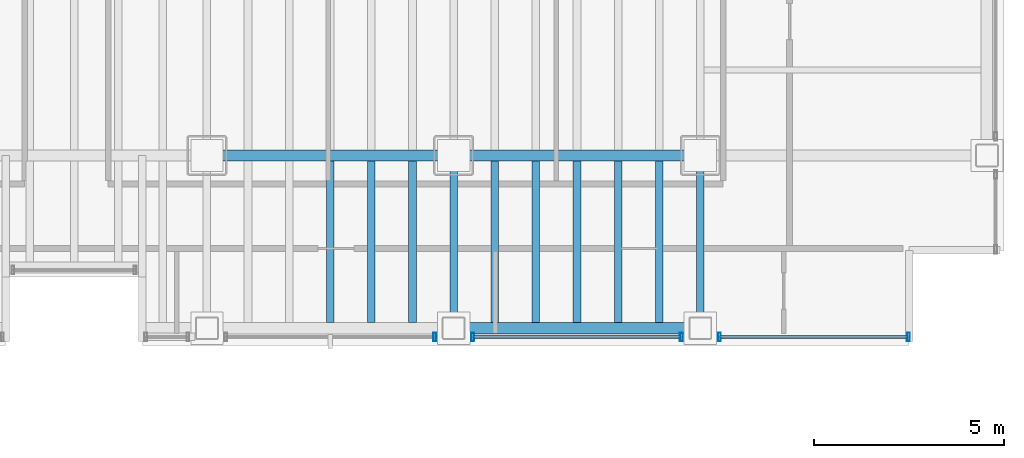
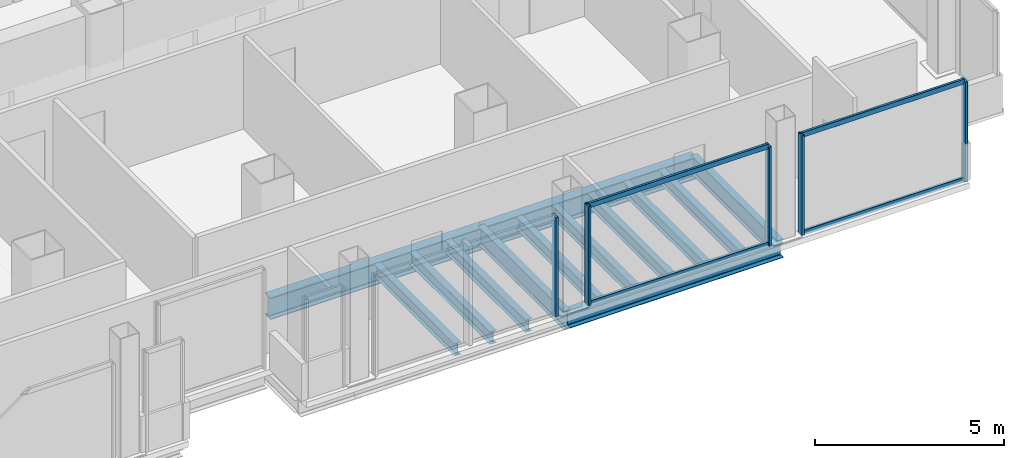
# One storey, part 9 of 21: 13 beams, 9 members, 3 elements without a shape of their own.
"""IFC4 building model written with IfcOpenShell, lengths in metres."""

from ifc_helpers import new_model, si_unit, direction, frame, origin, origin_2d, place, context, subcontext, project, spatial, hollow_rectangle, i_section, extrude, material, material_profile, profile_set, type_object, element, aggregate, save


model = new_model("IFC4")

# Units and contexts
model_context = context("Model", 3, precision=1e-05, world=origin(), true_north=direction((0.0, 1.0)))
body_context = subcontext(model_context, "Body", "Model", "MODEL_VIEW")
ifc_project = project(units=[si_unit("LENGTHUNIT", "METRE"), si_unit("AREAUNIT", "SQUARE_METRE"), si_unit("VOLUMEUNIT", "CUBIC_METRE"), si_unit("PLANEANGLEUNIT", "RADIAN"), si_unit("MASSUNIT", "GRAM", prefix="KILO")], contexts=[model_context])

# Site, building, storey
site_placement = place(None, origin())
site = spatial("IfcSite", under=ifc_project, at=site_placement, CompositionType="ELEMENT")
building_placement = place(site_placement, origin())
building = spatial("IfcBuilding", under=site, at=building_placement, Name="Noeulbin Bourse Tower", CompositionType="ELEMENT")
storey_placement = place(building_placement, frame((0.0, 0.0, 38.199951171875)))
storey = spatial("IfcBuildingStorey", under=building, at=storey_placement, Name="L09", CompositionType="ELEMENT", Elevation=38.199951171875)

# Beams
ifc_material_1 = material(Name="Steel S355", Category="steel")
ifc_material_profile_1 = material_profile(ifc_material_1, i_section(OverallWidth=0.199951171875, OverallDepth=0.60009765625, WebThickness=0.010986328125, FlangeThickness=0.01708984375, FilletRadius=0.02197265625, at=origin_2d()), Name="H-600x200x11x17", Category="LoadBearing")
ifc_profile_set_1 = profile_set([ifc_material_profile_1], Name="Steel S355")
beam_type_1 = type_object("IfcBeamType", Name="BM-GRD-600", PredefinedType="USERDEFINED", material=ifc_profile_set_1)
for number, where, z_axis, x_axis, name in (
    (1, (37.5, 15.449951171875, -0.47998046875), (0.0, 1.0, 0.0), (-1.0, 0.0, 0.0), "Tower Primary Girder NS L09-4.1"),
    (2, (44.0, 15.449951171875, -0.47998046875), (0.0, 1.0, 0.0), (-1.0, 0.0, 0.0), "Tower Primary Girder NS L09-5.1"),
):
    element("IfcBeam", number, at=place(storey_placement, frame(where, z_axis=z_axis, x_axis=x_axis)), inside=storey, type_object=beam_type_1, Name=name, ObjectType="GIRDER", PredefinedType="USERDEFINED", context=body_context, shape_type="SweptSolid", body=[
        extrude(i_section(OverallWidth=0.199951171875, OverallDepth=0.60009765625, WebThickness=0.010986328125, FlangeThickness=0.01708984375, FilletRadius=0.02197265625, at=origin_2d()), origin(), (0.0, 0.0, 1.0), 4.550048828125),
    ])
ifc_material_profile_2 = material_profile(ifc_material_1, i_section(OverallWidth=0.300048828125, OverallDepth=0.699951171875, WebThickness=0.012939453125, FlangeThickness=0.02392578125, FilletRadius=0.02392578125, at=origin_2d()), Name="H-700x300x13x24", Category="LoadBearing")
ifc_profile_set_2 = profile_set([ifc_material_profile_2], Name="Steel S355")
beam_type_2 = type_object("IfcBeamType", Name="BM-GRD-700", PredefinedType="USERDEFINED", material=ifc_profile_set_2)
for number, where, z_axis, x_axis, name in (
    (3, (31.0, 20.0, -0.530029296875), (1.0, 0.0, 0.0), (0.0, 1.0, 0.0), "Tower Primary Girder EW L09-1.4"),
    (4, (37.5, 20.0, -0.530029296875), (1.0, 0.0, 0.0), (0.0, 1.0, 0.0), "Tower Primary Girder EW L09-1.5"),
):
    element("IfcBeam", number, at=place(storey_placement, frame(where, z_axis=z_axis, x_axis=x_axis)), inside=storey, type_object=beam_type_2, Name=name, ObjectType="GIRDER", PredefinedType="USERDEFINED", context=body_context, shape_type="SweptSolid", body=[
        extrude(i_section(OverallWidth=0.300048828125, OverallDepth=0.699951171875, WebThickness=0.012939453125, FlangeThickness=0.02392578125, FilletRadius=0.02392578125, at=origin_2d()), origin(), (0.0, 0.0, 1.0), 6.5),
    ])
ifc_material_profile_3 = material_profile(ifc_material_1, i_section(OverallWidth=0.199951171875, OverallDepth=0.39990234375, WebThickness=0.008056640625, FlangeThickness=0.012939453125, FilletRadius=0.01611328125, at=origin_2d()), Name="H-400x200x8x13", Category="LoadBearing")
ifc_profile_set_3 = profile_set([ifc_material_profile_3], Name="Steel S355")
beam_type_3 = type_object("IfcBeamType", Name="BM-SEC-400", PredefinedType="BEAM", material=ifc_profile_set_3)
for number, where, z_axis, x_axis, name in (
    (5, (34.25, 15.60009765625, -0.3798828125), (0.0, 1.0, 0.0), (-1.0, 0.0, 0.0), "Tower Composite Joist L09-46"),
    (6, (35.333251953125, 15.60009765625, -0.3798828125), (0.0, 1.0, 0.0), (-1.0, 0.0, 0.0), "Tower Composite Joist L09-49"),
    (7, (36.416748046875, 15.60009765625, -0.3798828125), (0.0, 1.0, 0.0), (-1.0, 0.0, 0.0), "Tower Composite Joist L09-52"),
    (8, (38.583251953125, 15.60009765625, -0.3798828125), (0.0, 1.0, 0.0), (-1.0, 0.0, 0.0), "Tower Composite Joist L09-55"),
    (9, (39.666748046875, 15.60009765625, -0.3798828125), (0.0, 1.0, 0.0), (-1.0, 0.0, 0.0), "Tower Composite Joist L09-58"),
    (10, (40.75, 15.60009765625, -0.3798828125), (0.0, 1.0, 0.0), (-1.0, 0.0, 0.0), "Tower Composite Joist L09-61"),
    (11, (41.833251953125, 15.60009765625, -0.3798828125), (0.0, 1.0, 0.0), (-1.0, 0.0, 0.0), "Tower Composite Joist L09-64"),
    (12, (42.916748046875, 15.60009765625, -0.3798828125), (0.0, 1.0, 0.0), (-1.0, 0.0, 0.0), "Tower Composite Joist L09-67"),
):
    element("IfcBeam", number, at=place(storey_placement, frame(where, z_axis=z_axis, x_axis=x_axis)), inside=storey, type_object=beam_type_3, Name=name, PredefinedType="BEAM", context=body_context, shape_type="SweptSolid", body=[
        extrude(i_section(OverallWidth=0.199951171875, OverallDepth=0.39990234375, WebThickness=0.008056640625, FlangeThickness=0.012939453125, FilletRadius=0.01611328125, at=origin_2d()), origin(), (0.0, 0.0, 1.0), 4.25),
    ])
ifc_material_profile_4 = material_profile(ifc_material_1, i_section(OverallWidth=0.300048828125, OverallDepth=0.488037109375, WebThickness=0.010986328125, FlangeThickness=0.01806640625, FilletRadius=0.02197265625, at=origin_2d()), Name="H-488x300x11x18", Category="LoadBearing")
ifc_profile_set_4 = profile_set([ifc_material_profile_4], Name="Steel S355")
beam_type_4 = type_object("IfcBeamType", Name="BM-SPN-488", PredefinedType="SPANDREL", material=ifc_profile_set_4)
beam_placement = place(storey_placement, frame((37.5, 15.449951171875, -0.424072265625), z_axis=(1.0, 0.0, 0.0), x_axis=(0.0, 1.0, 0.0)))
element("IfcBeam", 13, at=beam_placement, inside=storey, type_object=beam_type_4, Name="South Spandrel L09-4", PredefinedType="SPANDREL", context=body_context, shape_type="SweptSolid", body=[
    extrude(i_section(OverallWidth=0.300048828125, OverallDepth=0.488037109375, WebThickness=0.010986328125, FlangeThickness=0.01806640625, FilletRadius=0.02197265625, at=origin_2d()), origin(), (0.0, 0.0, 1.0), 6.5),
])

# Curtain wall, member
ifc_material_2 = material(Name="Dark Solar-Control Double Glazing", Category="glass")
curtain_wall_type = type_object("IfcCurtainWallType", Name="CW-SYS-2", PredefinedType="NOTDEFINED", material=ifc_material_2)
curtain_wall_1_placement = place(storey_placement, origin())
curtain_wall_1 = element("IfcCurtainWall", 14, at=curtain_wall_1_placement, inside=storey, type_object=curtain_wall_type, Name="Unitised Curtain Wall CW-L09-S3-S2", PredefinedType="NOTDEFINED")
ifc_material_3 = material(Name="Anodised Aluminium 6063-T6", Category="aluminium")
ifc_material_profile_5 = material_profile(ifc_material_3, hollow_rectangle(XDim=0.074951171875, YDim=0.219970703125, WallThickness=0.0048828125, InnerFilletRadius=0.00244140625, OuterFilletRadius=0.0048828125, at=origin_2d()), Name="ALU-MULL-75x220x5", Category="LoadBearing")
ifc_profile_set_5 = profile_set([ifc_material_profile_5], Name="Anodised Aluminium 6063-T6")
member_type_1 = type_object("IfcMemberType", Name="CW-SYS-2-MUL", PredefinedType="MULLION", material=ifc_profile_set_5)
member_1_placement = place(storey_placement, frame((37.0, 15.219970703125, -0.02001953125), z_axis=(0.0, 0.0, 1.0), x_axis=(1.0, 0.0, 0.0)))
member_1 = element("IfcMember", 15, at=member_1_placement, type_object=member_type_1, Name="Curtain Wall Mullion CW-L09-S3-S2-M01", PredefinedType="MULLION", context=body_context, shape_type="SweptSolid", body=[
    extrude(hollow_rectangle(XDim=0.074951171875, YDim=0.219970703125, WallThickness=0.0048828125, InnerFilletRadius=0.00244140625, OuterFilletRadius=0.0048828125, at=origin_2d()), origin(), (0.0, 0.0, 1.0), 3.219970703125),
])
aggregate(curtain_wall_1, [member_1])

# Curtain wall, members
curtain_wall_2_placement = place(storey_placement, origin())
curtain_wall_2 = element("IfcCurtainWall", 16, at=curtain_wall_2_placement, inside=storey, type_object=curtain_wall_type, Name="Unitised Curtain Wall CW-L09-S3-S3", PredefinedType="NOTDEFINED")
member_2_placement = place(storey_placement, frame((38.0, 15.219970703125, -0.02001953125), z_axis=(0.0, 0.0, 1.0), x_axis=(1.0, 0.0, 0.0)))
member_2 = element("IfcMember", 17, at=member_2_placement, type_object=member_type_1, Name="Curtain Wall Mullion CW-L09-S3-S3-M00", PredefinedType="MULLION", context=body_context, shape_type="SweptSolid", body=[
    extrude(hollow_rectangle(XDim=0.074951171875, YDim=0.219970703125, WallThickness=0.0048828125, InnerFilletRadius=0.00244140625, OuterFilletRadius=0.0048828125, at=origin_2d()), origin(), (0.0, 0.0, 1.0), 3.219970703125),
])
member_3_placement = place(storey_placement, frame((43.5, 15.219970703125, -0.02001953125), z_axis=(0.0, 0.0, 1.0), x_axis=(1.0, 0.0, 0.0)))
member_3 = element("IfcMember", 18, at=member_3_placement, type_object=member_type_1, Name="Curtain Wall Mullion CW-L09-S3-S3-M01", PredefinedType="MULLION", context=body_context, shape_type="SweptSolid", body=[
    extrude(hollow_rectangle(XDim=0.074951171875, YDim=0.219970703125, WallThickness=0.0048828125, InnerFilletRadius=0.00244140625, OuterFilletRadius=0.0048828125, at=origin_2d()), origin(), (0.0, 0.0, 1.0), 3.219970703125),
])

curtain_wall_3_placement = place(storey_placement, origin())
curtain_wall_3 = element("IfcCurtainWall", 19, at=curtain_wall_3_placement, inside=storey, type_object=curtain_wall_type, Name="Unitised Curtain Wall CW-L09-S3-S4", PredefinedType="NOTDEFINED")
member_4_placement = place(storey_placement, frame((44.5, 15.219970703125, -0.02001953125), z_axis=(0.0, 0.0, 1.0), x_axis=(1.0, 0.0, 0.0)))
member_4 = element("IfcMember", 20, at=member_4_placement, type_object=member_type_1, Name="Curtain Wall Mullion CW-L09-S3-S4-M00", PredefinedType="MULLION", context=body_context, shape_type="SweptSolid", body=[
    extrude(hollow_rectangle(XDim=0.074951171875, YDim=0.219970703125, WallThickness=0.0048828125, InnerFilletRadius=0.00244140625, OuterFilletRadius=0.0048828125, at=origin_2d()), origin(), (0.0, 0.0, 1.0), 3.219970703125),
])
member_5_placement = place(storey_placement, frame((49.47998046875, 15.219970703125, -0.02001953125), z_axis=(0.0, 0.0, 1.0), x_axis=(1.0, 0.0, 0.0)))
member_5 = element("IfcMember", 21, at=member_5_placement, type_object=member_type_1, Name="Curtain Wall Mullion CW-L09-S3-S4-M01", PredefinedType="MULLION", context=body_context, shape_type="SweptSolid", body=[
    extrude(hollow_rectangle(XDim=0.074951171875, YDim=0.219970703125, WallThickness=0.0048828125, InnerFilletRadius=0.00244140625, OuterFilletRadius=0.0048828125, at=origin_2d()), origin(), (0.0, 0.0, 1.0), 3.219970703125),
])

# Member
ifc_material_profile_6 = material_profile(ifc_material_3, hollow_rectangle(XDim=0.074951171875, YDim=0.159912109375, WallThickness=0.0048828125, InnerFilletRadius=0.00244140625, OuterFilletRadius=0.0048828125, at=origin_2d()), Name="ALU-TRAN-75x160x5", Category="LoadBearing")
ifc_profile_set_6 = profile_set([ifc_material_profile_6], Name="Anodised Aluminium 6063-T6")
member_type_2 = type_object("IfcMemberType", Name="CW-SYS-2-TRN", PredefinedType="USERDEFINED", material=ifc_profile_set_6)
member_6_placement = place(storey_placement, frame((38.010009765625, 15.219970703125, 0.010009765625), z_axis=(1.0, 0.0, 0.0), x_axis=(0.0, 1.0, 0.0)))
member_6 = element("IfcMember", 22, at=member_6_placement, type_object=member_type_2, Name="Curtain Wall Transom CW-L09-S3-S3-T00", ObjectType="TRANSOM", PredefinedType="USERDEFINED", context=body_context, shape_type="SweptSolid", body=[
    extrude(hollow_rectangle(XDim=0.074951171875, YDim=0.159912109375, WallThickness=0.0048828125, InnerFilletRadius=0.00244140625, OuterFilletRadius=0.0048828125, at=origin_2d()), origin(), (0.0, 0.0, 1.0), 5.47998046875),
])

member_7_placement = place(storey_placement, frame((38.010009765625, 15.219970703125, 3.170166015625), z_axis=(1.0, 0.0, 0.0), x_axis=(0.0, 1.0, 0.0)))
member_7 = element("IfcMember", 23, at=member_7_placement, type_object=member_type_2, Name="Curtain Wall Transom CW-L09-S3-S3-T01", ObjectType="TRANSOM", PredefinedType="USERDEFINED", context=body_context, shape_type="SweptSolid", body=[
    extrude(hollow_rectangle(XDim=0.074951171875, YDim=0.159912109375, WallThickness=0.0048828125, InnerFilletRadius=0.00244140625, OuterFilletRadius=0.0048828125, at=origin_2d()), origin(), (0.0, 0.0, 1.0), 5.47998046875),
])

aggregate(curtain_wall_2, [member_2, member_3, member_6, member_7])

member_8_placement = place(storey_placement, frame((44.510009765625, 15.219970703125, 0.010009765625), z_axis=(1.0, 0.0, 0.0), x_axis=(0.0, 1.0, 0.0)))
member_8 = element("IfcMember", 24, at=member_8_placement, type_object=member_type_2, Name="Curtain Wall Transom CW-L09-S3-S4-T00", ObjectType="TRANSOM", PredefinedType="USERDEFINED", context=body_context, shape_type="SweptSolid", body=[
    extrude(hollow_rectangle(XDim=0.074951171875, YDim=0.159912109375, WallThickness=0.0048828125, InnerFilletRadius=0.00244140625, OuterFilletRadius=0.0048828125, at=origin_2d()), origin(), (0.0, 0.0, 1.0), 4.9599609375),
])

member_9_placement = place(storey_placement, frame((44.510009765625, 15.219970703125, 3.170166015625), z_axis=(1.0, 0.0, 0.0), x_axis=(0.0, 1.0, 0.0)))
member_9 = element("IfcMember", 25, at=member_9_placement, type_object=member_type_2, Name="Curtain Wall Transom CW-L09-S3-S4-T01", ObjectType="TRANSOM", PredefinedType="USERDEFINED", context=body_context, shape_type="SweptSolid", body=[
    extrude(hollow_rectangle(XDim=0.074951171875, YDim=0.159912109375, WallThickness=0.0048828125, InnerFilletRadius=0.00244140625, OuterFilletRadius=0.0048828125, at=origin_2d()), origin(), (0.0, 0.0, 1.0), 4.9599609375),
])

aggregate(curtain_wall_3, [member_4, member_5, member_8, member_9])

save(model, "model.ifc")
